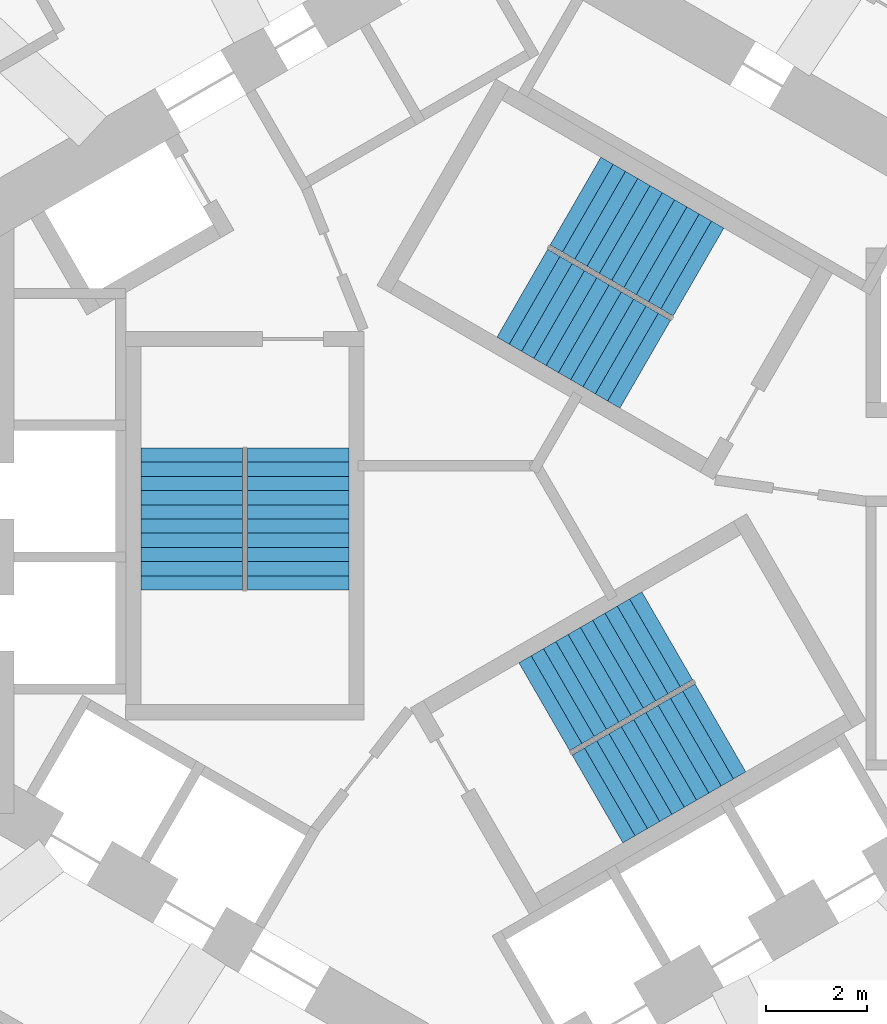
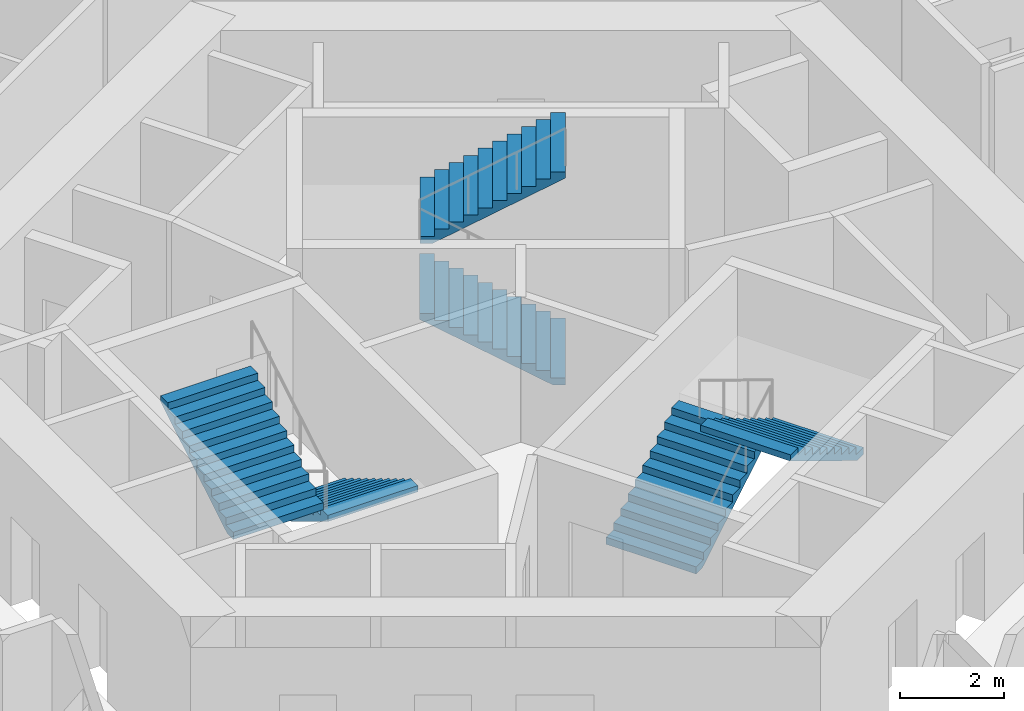
# One storey, part 9 of 11: 6 stair flights, 3 elements without a shape of their own.
"""IFC4 building model written with IfcOpenShell, lengths in metres."""

from ifc_helpers import new_model, si_unit, direction, frame, origin, place, context, subcontext, project, spatial, triangles, source, transform, mapped, material, type_object, element, aggregate, save


model = new_model("IFC4")

# Units and contexts
model_context = context("Model", 3, precision=1e-05, world=origin(), true_north=direction((0.0, 1.0)))
body_context = subcontext(model_context, "Body", "Model", "MODEL_VIEW")
ifc_project = project(units=[si_unit("LENGTHUNIT", "METRE"), si_unit("AREAUNIT", "SQUARE_METRE"), si_unit("VOLUMEUNIT", "CUBIC_METRE"), si_unit("PLANEANGLEUNIT", "RADIAN"), si_unit("MASSUNIT", "GRAM", prefix="KILO")], contexts=[model_context])

# Site, building, storey
site_placement = place(None, origin())
site = spatial("IfcSite", under=ifc_project, at=site_placement, CompositionType="ELEMENT")
building_placement = place(site_placement, origin())
building = spatial("IfcBuilding", under=site, at=building_placement, Name="Vanh Sen Convention Tower", CompositionType="ELEMENT")
storey_placement = place(building_placement, frame((0.0, 0.0, 187.300048828125)))
storey = spatial("IfcBuildingStorey", under=building, at=storey_placement, Name="L46", CompositionType="ELEMENT", Elevation=187.300048828125)

# Stair, stair flights
ifc_material_1 = material(Name="Concrete C50/60", Category="concrete")
stair_type_1 = type_object("IfcStairType", Name="Exit stair ST1 22 risers at 168.2", PredefinedType="HALF_TURN_STAIR", material=ifc_material_1)
stair_1_placement = place(storey_placement, origin())
stair_1 = element("IfcStair", 1, at=stair_1_placement, inside=storey, type_object=stair_type_1, Name="Exit stair ST1 L46", PredefinedType="HALF_TURN_STAIR")
ifc_material_2 = material(Name="Concrete C40/50", Category="concrete")
stair_flight_type = type_object("IfcStairFlightType", Name="Stair flight 2000", PredefinedType="STRAIGHT", material=ifc_material_2)
shared_shape = source(origin(), body_context, "Body", "Tessellation", [
    triangles([(0.24267578125, 1.0, 0.0), (0.0, 1.0, 0.0), (0.0, 1.0, 0.168212890625), (0.280029296875, 1.0, 0.168212890625), (0.280029296875, 1.0, 0.33642578125), (0.56005859375, 1.0, 0.33642578125), (0.56005859375, 1.0, 0.504638671875), (0.840087890625, 1.0, 0.504638671875), (0.840087890625, 1.0, 0.672607421875), (1.1201171875, 1.0, 0.672607421875), (1.1201171875, 1.0, 0.8408203125), (1.39990234375, 1.0, 0.8408203125), (1.39990234375, 1.0, 1.009033203125), (1.679931640625, 1.0, 1.009033203125), (1.679931640625, 1.0, 1.17724609375), (1.9599609375, 1.0, 1.17724609375), (1.9599609375, 1.0, 1.345458984375), (2.239990234375, 1.0, 1.345458984375), (2.239990234375, 1.0, 1.513671875), (2.52001953125, 1.0, 1.513671875), (2.52001953125, 1.0, 1.681884765625), (2.800048828125, 1.0, 1.681884765625), (2.800048828125, 1.0, 1.535888671875), (0.24267578125, -1.0, 0.0), (0.0, -1.0, 0.0), (0.0, -1.0, 0.168212890625), (0.280029296875, -1.0, 0.168212890625), (0.280029296875, -1.0, 0.33642578125), (0.56005859375, -1.0, 0.33642578125), (0.56005859375, -1.0, 0.504638671875), (0.840087890625, -1.0, 0.504638671875), (0.840087890625, -1.0, 0.672607421875), (1.1201171875, -1.0, 0.672607421875), (1.1201171875, -1.0, 0.8408203125), (1.39990234375, -1.0, 0.8408203125), (1.39990234375, -1.0, 1.009033203125), (1.679931640625, -1.0, 1.009033203125), (1.679931640625, -1.0, 1.17724609375), (1.9599609375, -1.0, 1.17724609375), (1.9599609375, -1.0, 1.345458984375), (2.239990234375, -1.0, 1.345458984375), (2.239990234375, -1.0, 1.513671875), (2.52001953125, -1.0, 1.513671875), (2.52001953125, -1.0, 1.681884765625), (2.800048828125, -1.0, 1.681884765625), (2.800048828125, -1.0, 1.535888671875), (0.0, 0.0400390625, 0.0), (0.0, 0.0390625, 0.0), (0.0, 0.0380859375, 0.0), (0.0, 0.037109375, 0.0), (0.0, 0.035888671875, 0.0), (0.0, 0.034912109375, 0.0), (0.0, 0.033935546875, 0.0), (0.0, 0.032958984375, 0.0), (0.0, 0.031982421875, 0.0), (0.0, 0.031005859375, 0.0), (0.0, 0.030029296875, 0.0), (0.0, 0.029052734375, 0.0), (0.0, 0.028076171875, 0.0), (0.0, 0.027099609375, 0.0), (0.0, 0.02587890625, 0.0), (0.0, 0.02490234375, 0.0), (0.0, 0.02392578125, 0.0), (0.0, 0.02294921875, 0.0), (0.0, 0.02197265625, 0.0), (0.0, 0.02099609375, 0.0), (0.0, 0.02001953125, 0.0), (0.0, 0.01904296875, 0.0), (0.0, 0.01806640625, 0.0), (0.0, 0.01708984375, 0.0), (0.0, 0.01611328125, 0.0), (0.0, 0.014892578125, 0.0), (0.0, 0.013916015625, 0.0), (0.0, 0.012939453125, 0.0), (0.0, 0.011962890625, 0.0), (0.0, 0.010986328125, 0.0), (0.0, 0.010009765625, 0.0), (0.0, 0.009033203125, 0.0), (0.0, 0.008056640625, 0.0), (0.0, 0.007080078125, 0.0), (0.0, 0.006103515625, 0.0), (0.0, 0.0048828125, 0.0), (0.0, 0.00390625, 0.0), (0.0, 0.0029296875, 0.0), (0.0, 0.001953125, 0.0), (0.0, 0.0009765625, 0.0), (0.0, 0.0, 0.0), (0.0, -0.0009765625, 0.0), (0.0, -0.001953125, 0.0), (0.0, -0.0029296875, 0.0), (0.0, -0.00390625, 0.0), (0.0, -0.0048828125, 0.0), (0.0, -0.006103515625, 0.0), (0.0, -0.007080078125, 0.0), (0.0, -0.008056640625, 0.0), (0.0, -0.009033203125, 0.0), (0.0, -0.010009765625, 0.0), (0.0, -0.010986328125, 0.0), (0.0, -0.011962890625, 0.0), (0.0, -0.012939453125, 0.0), (0.0, -0.013916015625, 0.0), (0.0, -0.014892578125, 0.0), (0.0, -0.01611328125, 0.0), (0.0, -0.01708984375, 0.0), (0.0, -0.01806640625, 0.0), (0.0, -0.01904296875, 0.0), (0.0, -0.02001953125, 0.0), (0.0, -0.02099609375, 0.0), (0.0, -0.02197265625, 0.0), (0.0, -0.02294921875, 0.0), (0.0, -0.02392578125, 0.0), (0.0, -0.02490234375, 0.0), (0.0, -0.02587890625, 0.0), (0.0, -0.027099609375, 0.0), (0.0, -0.028076171875, 0.0), (0.0, -0.029052734375, 0.0), (0.0, -0.030029296875, 0.0), (0.0, -0.031005859375, 0.0), (0.0, -0.031982421875, 0.0), (0.0, -0.032958984375, 0.0), (0.0, -0.033935546875, 0.0), (0.0, -0.034912109375, 0.0), (0.0, -0.035888671875, 0.0), (0.0, -0.037109375, 0.0), (0.0, -0.0380859375, 0.0), (0.0, -0.0390625, 0.0), (0.0, -0.0400390625, 0.0), (0.0, 0.0400390625, 0.168212890625), (0.0, 0.0390625, 0.168212890625), (0.0, 0.0380859375, 0.168212890625), (0.0, 0.037109375, 0.168212890625), (0.0, 0.035888671875, 0.168212890625), (0.0, 0.034912109375, 0.168212890625), (0.0, 0.033935546875, 0.168212890625), (0.0, 0.032958984375, 0.168212890625), (0.0, 0.031982421875, 0.168212890625), (0.0, 0.031005859375, 0.168212890625), (0.0, 0.030029296875, 0.168212890625), (0.0, 0.029052734375, 0.168212890625), (0.0, 0.028076171875, 0.168212890625), (0.0, 0.027099609375, 0.168212890625), (0.0, 0.02587890625, 0.168212890625), (0.0, 0.02490234375, 0.168212890625), (0.0, 0.02392578125, 0.168212890625), (0.0, 0.02294921875, 0.168212890625), (0.0, 0.02197265625, 0.168212890625), (0.0, 0.02099609375, 0.168212890625), (0.0, 0.02001953125, 0.168212890625), (0.0, 0.01904296875, 0.168212890625), (0.0, 0.01806640625, 0.168212890625), (0.0, 0.01708984375, 0.168212890625), (0.0, 0.01611328125, 0.168212890625), (0.0, 0.014892578125, 0.168212890625), (0.0, 0.013916015625, 0.168212890625), (0.0, 0.012939453125, 0.168212890625), (0.0, 0.011962890625, 0.168212890625), (0.0, 0.010986328125, 0.168212890625), (0.0, 0.010009765625, 0.168212890625), (0.0, 0.009033203125, 0.168212890625), (0.0, 0.008056640625, 0.168212890625), (0.0, 0.007080078125, 0.168212890625), (0.0, 0.006103515625, 0.168212890625), (0.0, 0.0048828125, 0.168212890625), (0.0, 0.00390625, 0.168212890625), (0.0, 0.0029296875, 0.168212890625), (0.0, 0.001953125, 0.168212890625), (0.0, 0.0009765625, 0.168212890625), (0.0, 0.0, 0.168212890625), (0.0, -0.0009765625, 0.168212890625), (0.0, -0.001953125, 0.168212890625), (0.0, -0.0029296875, 0.168212890625), (0.0, -0.00390625, 0.168212890625), (0.0, -0.0048828125, 0.168212890625), (0.0, -0.006103515625, 0.168212890625), (0.0, -0.007080078125, 0.168212890625), (0.0, -0.008056640625, 0.168212890625), (0.0, -0.009033203125, 0.168212890625), (0.0, -0.010009765625, 0.168212890625), (0.0, -0.010986328125, 0.168212890625), (0.0, -0.011962890625, 0.168212890625), (0.0, -0.012939453125, 0.168212890625), (0.0, -0.013916015625, 0.168212890625), (0.0, -0.014892578125, 0.168212890625), (0.0, -0.01611328125, 0.168212890625), (0.0, -0.01708984375, 0.168212890625), (0.0, -0.01806640625, 0.168212890625), (0.0, -0.01904296875, 0.168212890625), (0.0, -0.02001953125, 0.168212890625), (0.0, -0.02099609375, 0.168212890625), (0.0, -0.02197265625, 0.168212890625), (0.0, -0.02294921875, 0.168212890625), (0.0, -0.02392578125, 0.168212890625), (0.0, -0.02490234375, 0.168212890625), (0.0, -0.02587890625, 0.168212890625), (0.0, -0.027099609375, 0.168212890625), (0.0, -0.028076171875, 0.168212890625), (0.0, -0.029052734375, 0.168212890625), (0.0, -0.030029296875, 0.168212890625), (0.0, -0.031005859375, 0.168212890625), (0.0, -0.031982421875, 0.168212890625), (0.0, -0.032958984375, 0.168212890625), (0.0, -0.033935546875, 0.168212890625), (0.0, -0.034912109375, 0.168212890625), (0.0, -0.035888671875, 0.168212890625), (0.0, -0.037109375, 0.168212890625), (0.0, -0.0380859375, 0.168212890625), (0.0, -0.0390625, 0.168212890625), (0.0, -0.0400390625, 0.168212890625), (0.280029296875, 0.0, 0.168212890625), (0.280029296875, 0.0, 0.33642578125), (0.56005859375, 0.0, 0.33642578125), (0.56005859375, 0.0, 0.504638671875), (0.840087890625, 0.0, 0.504638671875), (0.840087890625, 0.0, 0.672607421875), (1.1201171875, 0.0, 0.672607421875), (1.1201171875, 0.0, 0.8408203125), (1.39990234375, 0.0, 0.8408203125), (1.39990234375, 0.0, 1.009033203125), (1.679931640625, 0.0, 1.009033203125), (1.679931640625, 0.0, 1.17724609375), (1.9599609375, 0.0, 1.17724609375), (1.9599609375, 0.0, 1.345458984375), (2.239990234375, 0.0, 1.345458984375), (2.239990234375, 0.0, 1.513671875), (2.52001953125, 0.0, 1.513671875), (2.52001953125, 0.0, 1.681884765625), (2.800048828125, 0.0400390625, 1.681884765625), (2.800048828125, 0.0390625, 1.681884765625), (2.800048828125, 0.0380859375, 1.681884765625), (2.800048828125, 0.037109375, 1.681884765625), (2.800048828125, 0.035888671875, 1.681884765625), (2.800048828125, 0.034912109375, 1.681884765625), (2.800048828125, 0.033935546875, 1.681884765625), (2.800048828125, 0.032958984375, 1.681884765625), (2.800048828125, 0.031982421875, 1.681884765625), (2.800048828125, 0.031005859375, 1.681884765625), (2.800048828125, 0.030029296875, 1.681884765625), (2.800048828125, 0.029052734375, 1.681884765625), (2.800048828125, 0.028076171875, 1.681884765625), (2.800048828125, 0.027099609375, 1.681884765625), (2.800048828125, 0.02587890625, 1.681884765625), (2.800048828125, 0.02490234375, 1.681884765625), (2.800048828125, 0.02392578125, 1.681884765625), (2.800048828125, 0.02294921875, 1.681884765625), (2.800048828125, 0.02197265625, 1.681884765625), (2.800048828125, 0.02099609375, 1.681884765625), (2.800048828125, 0.02001953125, 1.681884765625), (2.800048828125, 0.01904296875, 1.681884765625), (2.800048828125, 0.01806640625, 1.681884765625), (2.800048828125, 0.01708984375, 1.681884765625), (2.800048828125, 0.01611328125, 1.681884765625), (2.800048828125, 0.014892578125, 1.681884765625), (2.800048828125, 0.013916015625, 1.681884765625), (2.800048828125, 0.012939453125, 1.681884765625), (2.800048828125, 0.011962890625, 1.681884765625), (2.800048828125, 0.010986328125, 1.681884765625), (2.800048828125, 0.010009765625, 1.681884765625), (2.800048828125, 0.009033203125, 1.681884765625), (2.800048828125, 0.008056640625, 1.681884765625), (2.800048828125, 0.007080078125, 1.681884765625), (2.800048828125, 0.006103515625, 1.681884765625), (2.800048828125, 0.0048828125, 1.681884765625), (2.800048828125, 0.00390625, 1.681884765625), (2.800048828125, 0.0029296875, 1.681884765625), (2.800048828125, 0.001953125, 1.681884765625), (2.800048828125, 0.0009765625, 1.681884765625), (2.800048828125, 0.0, 1.681884765625), (2.800048828125, -0.0009765625, 1.681884765625), (2.800048828125, -0.001953125, 1.681884765625), (2.800048828125, -0.0029296875, 1.681884765625), (2.800048828125, -0.00390625, 1.681884765625), (2.800048828125, -0.0048828125, 1.681884765625), (2.800048828125, -0.006103515625, 1.681884765625), (2.800048828125, -0.007080078125, 1.681884765625), (2.800048828125, -0.008056640625, 1.681884765625), (2.800048828125, -0.009033203125, 1.681884765625), (2.800048828125, -0.010009765625, 1.681884765625), (2.800048828125, -0.010986328125, 1.681884765625), (2.800048828125, -0.011962890625, 1.681884765625), (2.800048828125, -0.012939453125, 1.681884765625), (2.800048828125, -0.013916015625, 1.681884765625), (2.800048828125, -0.014892578125, 1.681884765625), (2.800048828125, -0.01611328125, 1.681884765625), (2.800048828125, -0.01708984375, 1.681884765625), (2.800048828125, -0.01806640625, 1.681884765625), (2.800048828125, -0.01904296875, 1.681884765625), (2.800048828125, -0.02001953125, 1.681884765625), (2.800048828125, -0.02099609375, 1.681884765625), (2.800048828125, -0.02197265625, 1.681884765625), (2.800048828125, -0.02294921875, 1.681884765625), (2.800048828125, -0.02392578125, 1.681884765625), (2.800048828125, -0.02490234375, 1.681884765625), (2.800048828125, -0.02587890625, 1.681884765625), (2.800048828125, -0.027099609375, 1.681884765625), (2.800048828125, -0.028076171875, 1.681884765625), (2.800048828125, -0.029052734375, 1.681884765625), (2.800048828125, -0.030029296875, 1.681884765625), (2.800048828125, -0.031005859375, 1.681884765625), (2.800048828125, -0.031982421875, 1.681884765625), (2.800048828125, -0.032958984375, 1.681884765625), (2.800048828125, -0.033935546875, 1.681884765625), (2.800048828125, -0.034912109375, 1.681884765625), (2.800048828125, -0.035888671875, 1.681884765625), (2.800048828125, -0.037109375, 1.681884765625), (2.800048828125, -0.0380859375, 1.681884765625), (2.800048828125, -0.0390625, 1.681884765625), (2.800048828125, -0.0400390625, 1.681884765625), (2.800048828125, 0.0400390625, 1.535888671875), (2.800048828125, 0.0390625, 1.535888671875), (2.800048828125, 0.0380859375, 1.535888671875), (2.800048828125, 0.037109375, 1.535888671875), (2.800048828125, 0.035888671875, 1.535888671875), (2.800048828125, 0.034912109375, 1.535888671875), (2.800048828125, 0.033935546875, 1.535888671875), (2.800048828125, 0.032958984375, 1.535888671875), (2.800048828125, 0.031982421875, 1.535888671875), (2.800048828125, 0.031005859375, 1.535888671875), (2.800048828125, 0.030029296875, 1.535888671875), (2.800048828125, 0.029052734375, 1.535888671875), (2.800048828125, 0.028076171875, 1.535888671875), (2.800048828125, 0.027099609375, 1.535888671875), (2.800048828125, 0.02587890625, 1.535888671875), (2.800048828125, 0.02490234375, 1.535888671875), (2.800048828125, 0.02392578125, 1.535888671875), (2.800048828125, 0.02294921875, 1.535888671875), (2.800048828125, 0.02197265625, 1.535888671875), (2.800048828125, 0.02099609375, 1.535888671875), (2.800048828125, 0.02001953125, 1.535888671875), (2.800048828125, 0.01904296875, 1.535888671875), (2.800048828125, 0.01806640625, 1.535888671875), (2.800048828125, 0.01708984375, 1.535888671875), (2.800048828125, 0.01611328125, 1.535888671875), (2.800048828125, 0.014892578125, 1.535888671875), (2.800048828125, 0.013916015625, 1.535888671875), (2.800048828125, 0.012939453125, 1.535888671875), (2.800048828125, 0.011962890625, 1.535888671875), (2.800048828125, 0.010986328125, 1.535888671875), (2.800048828125, 0.010009765625, 1.535888671875), (2.800048828125, 0.009033203125, 1.535888671875), (2.800048828125, 0.008056640625, 1.535888671875), (2.800048828125, 0.007080078125, 1.535888671875), (2.800048828125, 0.006103515625, 1.535888671875), (2.800048828125, 0.0048828125, 1.535888671875), (2.800048828125, 0.00390625, 1.535888671875), (2.800048828125, 0.0029296875, 1.535888671875), (2.800048828125, 0.001953125, 1.535888671875), (2.800048828125, 0.0009765625, 1.535888671875), (2.800048828125, 0.0, 1.535888671875), (2.800048828125, -0.0009765625, 1.535888671875), (2.800048828125, -0.001953125, 1.535888671875), (2.800048828125, -0.0029296875, 1.535888671875), (2.800048828125, -0.00390625, 1.535888671875), (2.800048828125, -0.0048828125, 1.535888671875), (2.800048828125, -0.006103515625, 1.535888671875), (2.800048828125, -0.007080078125, 1.535888671875), (2.800048828125, -0.008056640625, 1.535888671875), (2.800048828125, -0.009033203125, 1.535888671875), (2.800048828125, -0.010009765625, 1.535888671875), (2.800048828125, -0.010986328125, 1.535888671875), (2.800048828125, -0.011962890625, 1.535888671875), (2.800048828125, -0.012939453125, 1.535888671875), (2.800048828125, -0.013916015625, 1.535888671875), (2.800048828125, -0.014892578125, 1.535888671875), (2.800048828125, -0.01611328125, 1.535888671875), (2.800048828125, -0.01708984375, 1.535888671875), (2.800048828125, -0.01806640625, 1.535888671875), (2.800048828125, -0.01904296875, 1.535888671875), (2.800048828125, -0.02001953125, 1.535888671875), (2.800048828125, -0.02099609375, 1.535888671875), (2.800048828125, -0.02197265625, 1.535888671875), (2.800048828125, -0.02294921875, 1.535888671875), (2.800048828125, -0.02392578125, 1.535888671875), (2.800048828125, -0.02490234375, 1.535888671875), (2.800048828125, -0.02587890625, 1.535888671875), (2.800048828125, -0.027099609375, 1.535888671875), (2.800048828125, -0.028076171875, 1.535888671875), (2.800048828125, -0.029052734375, 1.535888671875), (2.800048828125, -0.030029296875, 1.535888671875), (2.800048828125, -0.031005859375, 1.535888671875), (2.800048828125, -0.031982421875, 1.535888671875), (2.800048828125, -0.032958984375, 1.535888671875), (2.800048828125, -0.033935546875, 1.535888671875), (2.800048828125, -0.034912109375, 1.535888671875), (2.800048828125, -0.035888671875, 1.535888671875), (2.800048828125, -0.037109375, 1.535888671875), (2.800048828125, -0.0380859375, 1.535888671875), (2.800048828125, -0.0390625, 1.535888671875), (2.800048828125, -0.0400390625, 1.535888671875), (0.24267578125, 0.0, 0.0)], [[1, 2, 3], [1, 3, 4], [4, 5, 6], [1, 4, 6], [6, 7, 8], [1, 6, 8], [8, 9, 10], [1, 8, 10], [10, 11, 12], [1, 10, 12], [12, 13, 14], [1, 12, 14], [14, 15, 16], [1, 14, 16], [16, 17, 18], [1, 16, 18], [18, 19, 20], [1, 18, 20], [20, 21, 22], [1, 20, 22], [22, 23, 1], [24, 26, 25], [24, 27, 26], [27, 29, 28], [24, 29, 27], [29, 31, 30], [24, 31, 29], [31, 33, 32], [24, 33, 31], [33, 35, 34], [24, 35, 33], [35, 37, 36], [24, 37, 35], [37, 39, 38], [24, 39, 37], [39, 41, 40], [24, 41, 39], [41, 43, 42], [24, 43, 41], [43, 45, 44], [24, 45, 43], [45, 24, 46], [2, 128, 3], [2, 47, 128], [47, 129, 128], [47, 48, 129], [48, 130, 129], [48, 49, 130], [49, 131, 130], [49, 50, 131], [50, 132, 131], [50, 51, 132], [51, 133, 132], [51, 52, 133], [52, 134, 133], [52, 53, 134], [53, 135, 134], [53, 54, 135], [54, 136, 135], [54, 55, 136], [55, 137, 136], [55, 56, 137], [56, 138, 137], [56, 57, 138], [57, 139, 138], [57, 58, 139], [58, 140, 139], [58, 59, 140], [59, 141, 140], [59, 60, 141], [60, 142, 141], [60, 61, 142], [61, 143, 142], [61, 62, 143], [62, 144, 143], [62, 63, 144], [63, 145, 144], [63, 64, 145], [64, 146, 145], [64, 65, 146], [65, 147, 146], [65, 66, 147], [66, 148, 147], [66, 67, 148], [67, 149, 148], [67, 68, 149], [68, 150, 149], [68, 69, 150], [69, 151, 150], [69, 70, 151], [70, 152, 151], [70, 71, 152], [71, 153, 152], [71, 72, 153], [72, 154, 153], [72, 73, 154], [73, 155, 154], [73, 74, 155], [74, 156, 155], [74, 75, 156], [75, 157, 156], [75, 76, 157], [76, 158, 157], [76, 77, 158], [77, 159, 158], [77, 78, 159], [78, 160, 159], [78, 79, 160], [79, 161, 160], [79, 80, 161], [80, 162, 161], [80, 81, 162], [81, 163, 162], [81, 82, 163], [82, 164, 163], [82, 83, 164], [83, 165, 164], [83, 84, 165], [84, 166, 165], [84, 85, 166], [85, 167, 166], [85, 86, 167], [86, 168, 167], [86, 87, 168], [87, 88, 168], [168, 88, 169], [88, 89, 169], [169, 89, 170], [89, 90, 170], [170, 90, 171], [90, 91, 171], [171, 91, 172], [91, 92, 172], [172, 92, 173], [92, 93, 173], [173, 93, 174], [93, 94, 174], [174, 94, 175], [94, 95, 175], [175, 95, 176], [95, 96, 176], [176, 96, 177], [96, 97, 177], [177, 97, 178], [97, 98, 178], [178, 98, 179], [98, 99, 179], [179, 99, 180], [99, 100, 180], [180, 100, 181], [100, 101, 181], [181, 101, 182], [101, 102, 182], [182, 102, 183], [102, 103, 183], [183, 103, 184], [103, 104, 184], [184, 104, 185], [104, 105, 185], [185, 105, 186], [105, 106, 186], [186, 106, 187], [106, 107, 187], [187, 107, 188], [107, 108, 188], [188, 108, 189], [108, 109, 189], [189, 109, 190], [109, 110, 190], [190, 110, 191], [110, 111, 191], [191, 111, 192], [111, 112, 192], [192, 112, 193], [112, 113, 193], [193, 113, 194], [113, 114, 194], [194, 114, 195], [114, 115, 195], [195, 115, 196], [115, 116, 196], [196, 116, 197], [116, 117, 197], [197, 117, 198], [117, 118, 198], [198, 118, 199], [118, 119, 199], [199, 119, 200], [119, 120, 200], [200, 120, 201], [120, 121, 201], [201, 121, 202], [121, 122, 202], [202, 122, 203], [122, 123, 203], [203, 123, 204], [123, 124, 204], [204, 124, 205], [124, 125, 205], [205, 125, 206], [125, 126, 206], [206, 126, 207], [126, 127, 207], [207, 127, 208], [127, 25, 208], [208, 25, 26], [4, 3, 128], [4, 128, 129], [4, 129, 130], [4, 130, 131], [4, 131, 132], [4, 132, 133], [4, 133, 134], [4, 134, 135], [4, 135, 136], [4, 136, 137], [4, 137, 138], [4, 138, 139], [4, 139, 140], [4, 140, 141], [4, 141, 142], [4, 142, 143], [4, 143, 144], [4, 144, 145], [4, 145, 146], [4, 146, 147], [4, 147, 148], [4, 148, 149], [4, 149, 150], [4, 150, 151], [4, 151, 152], [4, 152, 153], [4, 153, 154], [4, 154, 155], [4, 155, 156], [4, 156, 157], [4, 157, 158], [4, 158, 159], [4, 159, 160], [4, 160, 161], [4, 161, 162], [4, 162, 163], [4, 163, 164], [4, 164, 165], [4, 165, 166], [4, 166, 167], [4, 167, 168], [27, 168, 169], [27, 169, 170], [27, 170, 171], [27, 171, 172], [27, 172, 173], [27, 173, 174], [27, 174, 175], [27, 175, 176], [27, 176, 177], [27, 177, 178], [27, 178, 179], [27, 179, 180], [27, 180, 181], [27, 181, 182], [27, 182, 183], [27, 183, 184], [27, 184, 185], [27, 185, 186], [27, 186, 187], [27, 187, 188], [27, 188, 189], [27, 189, 190], [27, 190, 191], [27, 191, 192], [27, 192, 193], [27, 193, 194], [27, 194, 195], [27, 195, 196], [27, 196, 197], [27, 197, 198], [27, 198, 199], [27, 199, 200], [27, 200, 201], [27, 201, 202], [27, 202, 203], [27, 203, 204], [27, 204, 205], [27, 205, 206], [27, 206, 207], [27, 207, 208], [27, 208, 26], [4, 168, 209], [27, 209, 168], [4, 210, 5], [4, 209, 210], [209, 27, 210], [210, 27, 28], [5, 211, 6], [5, 210, 211], [210, 28, 211], [211, 28, 29], [6, 212, 7], [6, 211, 212], [211, 29, 212], [212, 29, 30], [7, 213, 8], [7, 212, 213], [212, 30, 213], [213, 30, 31], [8, 214, 9], [8, 213, 214], [213, 31, 214], [214, 31, 32], [9, 215, 10], [9, 214, 215], [214, 32, 215], [215, 32, 33], [10, 216, 11], [10, 215, 216], [215, 33, 216], [216, 33, 34], [11, 217, 12], [11, 216, 217], [216, 34, 217], [217, 34, 35], [12, 218, 13], [12, 217, 218], [217, 35, 218], [218, 35, 36], [13, 219, 14], [13, 218, 219], [218, 36, 219], [219, 36, 37], [14, 220, 15], [14, 219, 220], [219, 37, 220], [220, 37, 38], [15, 221, 16], [15, 220, 221], [220, 38, 221], [221, 38, 39], [16, 222, 17], [16, 221, 222], [221, 39, 222], [222, 39, 40], [17, 223, 18], [17, 222, 223], [222, 40, 223], [223, 40, 41], [18, 224, 19], [18, 223, 224], [223, 41, 224], [224, 41, 42], [19, 225, 20], [19, 224, 225], [224, 42, 225], [225, 42, 43], [20, 226, 21], [20, 225, 226], [225, 43, 226], [226, 43, 44], [21, 227, 22], [21, 228, 227], [21, 229, 228], [21, 230, 229], [21, 231, 230], [21, 232, 231], [21, 233, 232], [21, 234, 233], [21, 235, 234], [21, 236, 235], [21, 237, 236], [21, 238, 237], [21, 239, 238], [21, 240, 239], [21, 241, 240], [21, 242, 241], [21, 243, 242], [21, 244, 243], [21, 245, 244], [21, 246, 245], [21, 247, 246], [21, 248, 247], [21, 249, 248], [21, 250, 249], [21, 251, 250], [21, 252, 251], [21, 253, 252], [21, 254, 253], [21, 255, 254], [21, 256, 255], [21, 257, 256], [21, 258, 257], [21, 259, 258], [21, 260, 259], [21, 261, 260], [21, 262, 261], [21, 263, 262], [21, 264, 263], [21, 265, 264], [21, 266, 265], [21, 267, 266], [44, 268, 267], [44, 269, 268], [44, 270, 269], [44, 271, 270], [44, 272, 271], [44, 273, 272], [44, 274, 273], [44, 275, 274], [44, 276, 275], [44, 277, 276], [44, 278, 277], [44, 279, 278], [44, 280, 279], [44, 281, 280], [44, 282, 281], [44, 283, 282], [44, 284, 283], [44, 285, 284], [44, 286, 285], [44, 287, 286], [44, 288, 287], [44, 289, 288], [44, 290, 289], [44, 291, 290], [44, 292, 291], [44, 293, 292], [44, 294, 293], [44, 295, 294], [44, 296, 295], [44, 297, 296], [44, 298, 297], [44, 299, 298], [44, 300, 299], [44, 301, 300], [44, 302, 301], [44, 303, 302], [44, 304, 303], [44, 305, 304], [44, 306, 305], [44, 307, 306], [44, 45, 307], [21, 226, 267], [44, 267, 226], [22, 308, 23], [22, 227, 308], [227, 309, 308], [227, 228, 309], [228, 310, 309], [228, 229, 310], [229, 311, 310], [229, 230, 311], [230, 312, 311], [230, 231, 312], [231, 313, 312], [231, 232, 313], [232, 314, 313], [232, 233, 314], [233, 315, 314], [233, 234, 315], [234, 316, 315], [234, 235, 316], [235, 317, 316], [235, 236, 317], [236, 318, 317], [236, 237, 318], [237, 319, 318], [237, 238, 319], [238, 320, 319], [238, 239, 320], [239, 321, 320], [239, 240, 321], [240, 322, 321], [240, 241, 322], [241, 323, 322], [241, 242, 323], [242, 324, 323], [242, 243, 324], [243, 325, 324], [243, 244, 325], [244, 326, 325], [244, 245, 326], [245, 327, 326], [245, 246, 327], [246, 328, 327], [246, 247, 328], [247, 329, 328], [247, 248, 329], [248, 330, 329], [248, 249, 330], [249, 331, 330], [249, 250, 331], [250, 332, 331], [250, 251, 332], [251, 333, 332], [251, 252, 333], [252, 334, 333], [252, 253, 334], [253, 335, 334], [253, 254, 335], [254, 336, 335], [254, 255, 336], [255, 337, 336], [255, 256, 337], [256, 338, 337], [256, 257, 338], [257, 339, 338], [257, 258, 339], [258, 340, 339], [258, 259, 340], [259, 341, 340], [259, 260, 341], [260, 342, 341], [260, 261, 342], [261, 343, 342], [261, 262, 343], [262, 344, 343], [262, 263, 344], [263, 345, 344], [263, 264, 345], [264, 346, 345], [264, 265, 346], [265, 347, 346], [265, 266, 347], [266, 348, 347], [266, 267, 348], [267, 268, 348], [348, 268, 349], [268, 269, 349], [349, 269, 350], [269, 270, 350], [350, 270, 351], [270, 271, 351], [351, 271, 352], [271, 272, 352], [352, 272, 353], [272, 273, 353], [353, 273, 354], [273, 274, 354], [354, 274, 355], [274, 275, 355], [355, 275, 356], [275, 276, 356], [356, 276, 357], [276, 277, 357], [357, 277, 358], [277, 278, 358], [358, 278, 359], [278, 279, 359], [359, 279, 360], [279, 280, 360], [360, 280, 361], [280, 281, 361], [361, 281, 362], [281, 282, 362], [362, 282, 363], [282, 283, 363], [363, 283, 364], [283, 284, 364], [364, 284, 365], [284, 285, 365], [365, 285, 366], [285, 286, 366], [366, 286, 367], [286, 287, 367], [367, 287, 368], [287, 288, 368], [368, 288, 369], [288, 289, 369], [369, 289, 370], [289, 290, 370], [370, 290, 371], [290, 291, 371], [371, 291, 372], [291, 292, 372], [372, 292, 373], [292, 293, 373], [373, 293, 374], [293, 294, 374], [374, 294, 375], [294, 295, 375], [375, 295, 376], [295, 296, 376], [376, 296, 377], [296, 297, 377], [377, 297, 378], [297, 298, 378], [378, 298, 379], [298, 299, 379], [379, 299, 380], [299, 300, 380], [380, 300, 381], [300, 301, 381], [381, 301, 382], [301, 302, 382], [382, 302, 383], [302, 303, 383], [383, 303, 384], [303, 304, 384], [384, 304, 385], [304, 305, 385], [385, 305, 386], [305, 306, 386], [386, 306, 387], [306, 307, 387], [387, 307, 388], [307, 45, 388], [388, 45, 46], [1, 23, 308], [1, 308, 309], [1, 309, 310], [1, 310, 311], [1, 311, 312], [1, 312, 313], [1, 313, 314], [1, 314, 315], [1, 315, 316], [1, 316, 317], [1, 317, 318], [1, 318, 319], [1, 319, 320], [1, 320, 321], [1, 321, 322], [1, 322, 323], [1, 323, 324], [1, 324, 325], [1, 325, 326], [1, 326, 327], [1, 327, 328], [1, 328, 329], [1, 329, 330], [1, 330, 331], [1, 331, 332], [1, 332, 333], [1, 333, 334], [1, 334, 335], [1, 335, 336], [1, 336, 337], [1, 337, 338], [1, 338, 339], [1, 339, 340], [1, 340, 341], [1, 341, 342], [1, 342, 343], [1, 343, 344], [1, 344, 345], [1, 345, 346], [1, 346, 347], [1, 347, 348], [24, 348, 349], [24, 349, 350], [24, 350, 351], [24, 351, 352], [24, 352, 353], [24, 353, 354], [24, 354, 355], [24, 355, 356], [24, 356, 357], [24, 357, 358], [24, 358, 359], [24, 359, 360], [24, 360, 361], [24, 361, 362], [24, 362, 363], [24, 363, 364], [24, 364, 365], [24, 365, 366], [24, 366, 367], [24, 367, 368], [24, 368, 369], [24, 369, 370], [24, 370, 371], [24, 371, 372], [24, 372, 373], [24, 373, 374], [24, 374, 375], [24, 375, 376], [24, 376, 377], [24, 377, 378], [24, 378, 379], [24, 379, 380], [24, 380, 381], [24, 381, 382], [24, 382, 383], [24, 383, 384], [24, 384, 385], [24, 385, 386], [24, 386, 387], [24, 387, 388], [24, 388, 46], [1, 348, 389], [24, 389, 348], [1, 47, 2], [1, 48, 47], [1, 49, 48], [1, 50, 49], [1, 51, 50], [1, 52, 51], [1, 53, 52], [1, 54, 53], [1, 55, 54], [1, 56, 55], [1, 57, 56], [1, 58, 57], [1, 59, 58], [1, 60, 59], [1, 61, 60], [1, 62, 61], [1, 63, 62], [1, 64, 63], [1, 65, 64], [1, 66, 65], [1, 67, 66], [1, 68, 67], [1, 69, 68], [1, 70, 69], [1, 71, 70], [1, 72, 71], [1, 73, 72], [1, 74, 73], [1, 75, 74], [1, 76, 75], [1, 77, 76], [1, 78, 77], [1, 79, 78], [1, 80, 79], [1, 81, 80], [1, 82, 81], [1, 83, 82], [1, 84, 83], [1, 85, 84], [1, 86, 85], [1, 87, 86], [24, 88, 87], [24, 89, 88], [24, 90, 89], [24, 91, 90], [24, 92, 91], [24, 93, 92], [24, 94, 93], [24, 95, 94], [24, 96, 95], [24, 97, 96], [24, 98, 97], [24, 99, 98], [24, 100, 99], [24, 101, 100], [24, 102, 101], [24, 103, 102], [24, 104, 103], [24, 105, 104], [24, 106, 105], [24, 107, 106], [24, 108, 107], [24, 109, 108], [24, 110, 109], [24, 111, 110], [24, 112, 111], [24, 113, 112], [24, 114, 113], [24, 115, 114], [24, 116, 115], [24, 117, 116], [24, 118, 117], [24, 119, 118], [24, 120, 119], [24, 121, 120], [24, 122, 121], [24, 123, 122], [24, 124, 123], [24, 125, 124], [24, 126, 125], [24, 127, 126], [24, 25, 127], [1, 389, 87], [24, 87, 389]], closed=True),
])
stair_flight_1_placement = place(storey_placement, frame((2.94580078125, 2.802490234375, 0.0), z_axis=(0.0, 0.0, 1.0), x_axis=(-0.866025403784, 0.5, 0.0)))
stair_flight_1 = element("IfcStairFlight", 2, at=stair_flight_1_placement, type_object=stair_flight_type, Name="ST1 flight 1", NumberOfRisers=11, NumberOfTreads=10, PredefinedType="STRAIGHT", RiserHeight=0.168181818, TreadLength=0.28, context=body_context, shape_type="MappedRepresentation", body=[
    mapped(shared_shape, transform((0.0, 0.0, 0.0))),
])
stair_flight_2_placement = place(storey_placement, frame((1.571044921875, 6.021240234375, 1.849853515625), z_axis=(0.0, 0.0, 1.0), x_axis=(0.866025403784, -0.5, 0.0)))
stair_flight_2 = element("IfcStairFlight", 3, at=stair_flight_2_placement, type_object=stair_flight_type, Name="ST1 flight 2", NumberOfRisers=11, NumberOfTreads=10, PredefinedType="STRAIGHT", RiserHeight=0.168181818, TreadLength=0.28, context=body_context, shape_type="MappedRepresentation", body=[
    mapped(shared_shape, transform((0.0, 0.0, 0.0))),
])
aggregate(stair_1, [stair_flight_1, stair_flight_2])

stair_type_2 = type_object("IfcStairType", Name="Exit stair ST2 22 risers at 168.2", PredefinedType="HALF_TURN_STAIR", material=ifc_material_1)
stair_2_placement = place(storey_placement, origin())
stair_2 = element("IfcStair", 4, at=stair_2_placement, inside=storey, type_object=stair_type_2, Name="Exit stair ST2 L46", PredefinedType="HALF_TURN_STAIR")
stair_flight_3_placement = place(storey_placement, frame((-3.89990234375, 1.14990234375, 0.0), z_axis=(0.0, 0.0, 1.0), x_axis=(0.0, -1.0, 0.0)))
stair_flight_3 = element("IfcStairFlight", 5, at=stair_flight_3_placement, type_object=stair_flight_type, Name="ST2 flight 1", NumberOfRisers=11, NumberOfTreads=10, PredefinedType="STRAIGHT", RiserHeight=0.168181818, TreadLength=0.28, context=body_context, shape_type="MappedRepresentation", body=[
    mapped(shared_shape, transform((0.0, 0.0, 0.0))),
])
stair_flight_4_placement = place(storey_placement, frame((-6.0, -1.64990234375, 1.849853515625), z_axis=(0.0, 0.0, 1.0), x_axis=(0.0, 1.0, 0.0)))
stair_flight_4 = element("IfcStairFlight", 6, at=stair_flight_4_placement, type_object=stair_flight_type, Name="ST2 flight 2", NumberOfRisers=11, NumberOfTreads=10, PredefinedType="STRAIGHT", RiserHeight=0.168181818, TreadLength=0.28, context=body_context, shape_type="MappedRepresentation", body=[
    mapped(shared_shape, transform((0.0, 0.0, 0.0))),
])
aggregate(stair_2, [stair_flight_3, stair_flight_4])

stair_type_3 = type_object("IfcStairType", Name="Exit stair ST3 22 risers at 168.2", PredefinedType="HALF_TURN_STAIR", material=ifc_material_1)
stair_3_placement = place(storey_placement, origin())
stair_3 = element("IfcStair", 7, at=stair_3_placement, inside=storey, type_object=stair_type_3, Name="Exit stair ST3 L46", PredefinedType="HALF_TURN_STAIR")
stair_flight_5_placement = place(storey_placement, frame((0.9541015625, -3.952392578125, 0.0), z_axis=(0.0, 0.0, 1.0), x_axis=(0.866025403784, 0.5, 0.0)))
stair_flight_5 = element("IfcStairFlight", 8, at=stair_flight_5_placement, type_object=stair_flight_type, Name="ST3 flight 1", NumberOfRisers=11, NumberOfTreads=10, PredefinedType="STRAIGHT", RiserHeight=0.168181818, TreadLength=0.28, context=body_context, shape_type="MappedRepresentation", body=[
    mapped(shared_shape, transform((0.0, 0.0, 0.0))),
])
stair_flight_6_placement = place(storey_placement, frame((4.428955078125, -4.37109375, 1.849853515625), z_axis=(0.0, 0.0, 1.0), x_axis=(-0.866025403784, -0.5, 0.0)))
stair_flight_6 = element("IfcStairFlight", 9, at=stair_flight_6_placement, type_object=stair_flight_type, Name="ST3 flight 2", NumberOfRisers=11, NumberOfTreads=10, PredefinedType="STRAIGHT", RiserHeight=0.168181818, TreadLength=0.28, context=body_context, shape_type="MappedRepresentation", body=[
    mapped(shared_shape, transform((0.0, 0.0, 0.0))),
])
aggregate(stair_3, [stair_flight_5, stair_flight_6])

save(model, "model.ifc")
